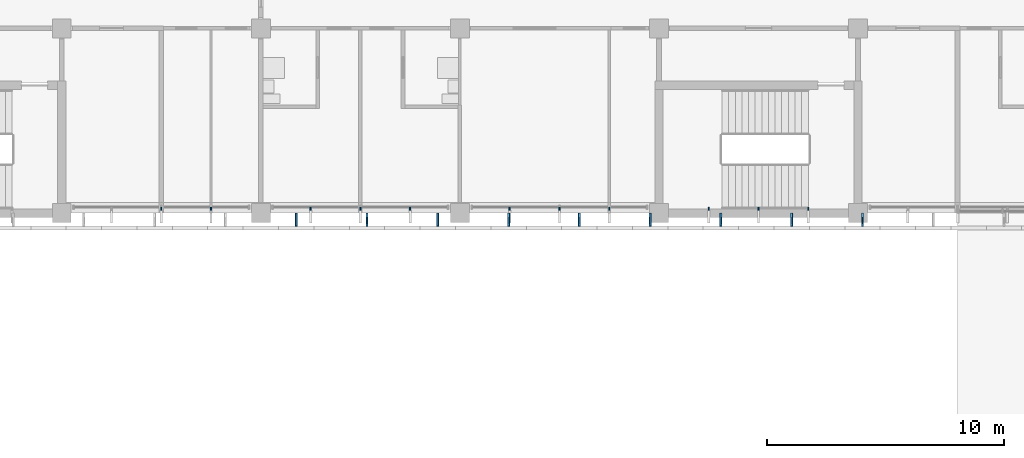
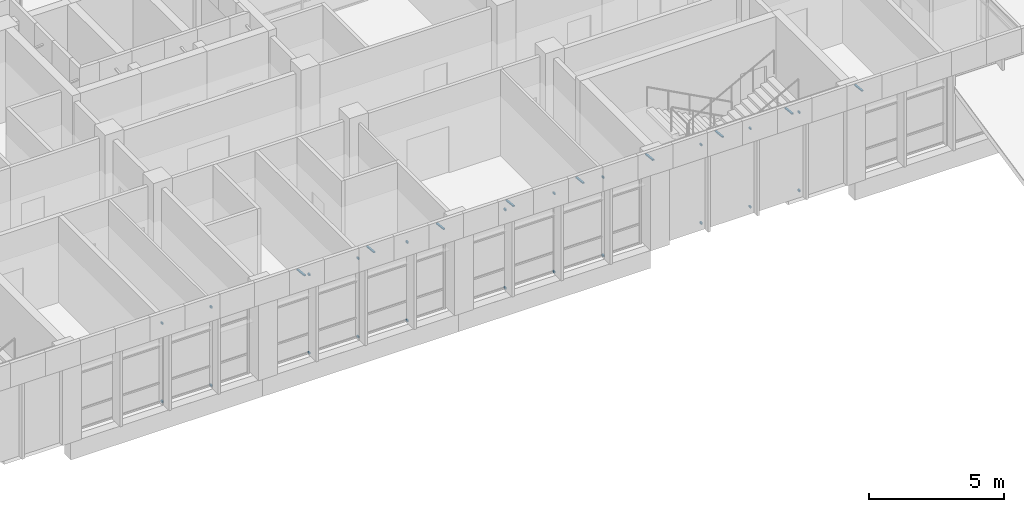
# One storey, part 104 of 137: 31 discrete accessories.
"""IFC4 building model written with IfcOpenShell, lengths in metres."""

from ifc_helpers import new_model, si_unit, direction, frame, origin, origin_2d, place, context, subcontext, project, spatial, rectangle, extrude, material, material_profile, profile_set, type_object, element, save


model = new_model("IFC4")

# Units and contexts
model_context = context("Model", 3, precision=1e-05, world=origin(), true_north=direction((0.0, 1.0)))
body_context = subcontext(model_context, "Body", "Model", "MODEL_VIEW")
ifc_project = project(units=[si_unit("LENGTHUNIT", "METRE"), si_unit("AREAUNIT", "SQUARE_METRE"), si_unit("VOLUMEUNIT", "CUBIC_METRE"), si_unit("PLANEANGLEUNIT", "RADIAN"), si_unit("MASSUNIT", "GRAM", prefix="KILO")], contexts=[model_context])

# Site, building, storey
site_placement = place(None, origin())
site = spatial("IfcSite", under=ifc_project, at=site_placement, CompositionType="ELEMENT")
building_placement = place(site_placement, origin())
building = spatial("IfcBuilding", under=site, at=building_placement, Name="Bougainvillea Quay General Hospital", CompositionType="ELEMENT")
storey_placement = place(building_placement, frame((0.0, 0.0, 16.800048828125)))
storey = spatial("IfcBuildingStorey", under=building, at=storey_placement, Name="L03", CompositionType="ELEMENT", Elevation=16.800048828125)

# Discrete accessories
ifc_material = material(Name="Stainless steel bracket, grade 316", Category="steel")
discrete_accessory_type_1 = type_object("IfcDiscreteAccessoryType", Name="Stainless steel fin arm 60x80", PredefinedType="BRACKET", material=ifc_material)
for number, where, z_axis, x_axis, name in (
    (1, (157.5, 117.7900390625, 0.0), (0.0, 0.0, 1.0), (0.0, -1.0, 0.0), "Fin arm V5B L03 14.4B"),
    (2, (157.5, 117.7900390625, 3.5498046875), (0.0, 0.0, 1.0), (0.0, -1.0, 0.0), "Fin arm V5B L03 14.4T"),
    (3, (155.39990234375, 117.7900390625, 0.0), (0.0, 0.0, 1.0), (0.0, -1.0, 0.0), "Fin arm V5B L03 14.5B"),
    (4, (155.39990234375, 117.7900390625, 3.5498046875), (0.0, 0.0, 1.0), (0.0, -1.0, 0.0), "Fin arm V5B L03 14.5T"),
    (5, (153.300048828125, 117.7900390625, 0.0), (0.0, 0.0, 1.0), (0.0, -1.0, 0.0), "Fin arm V5B L03 14.6B"),
    (6, (153.300048828125, 117.7900390625, 3.5498046875), (0.0, 0.0, 1.0), (0.0, -1.0, 0.0), "Fin arm V5B L03 14.6T"),
    (7, (149.10009765625, 117.7900390625, 0.0), (0.0, 0.0, 1.0), (0.0, -1.0, 0.0), "Fin arm V5B L03 14.7B"),
    (8, (149.10009765625, 117.7900390625, 3.5498046875), (0.0, 0.0, 1.0), (0.0, -1.0, 0.0), "Fin arm V5B L03 14.7T"),
    (9, (147.0, 117.7900390625, 0.0), (0.0, 0.0, 1.0), (0.0, -1.0, 0.0), "Fin arm V5B L03 14.8B"),
    (10, (147.0, 117.7900390625, 3.5498046875), (0.0, 0.0, 1.0), (0.0, -1.0, 0.0), "Fin arm V5B L03 14.8T"),
    (11, (144.89990234375, 117.7900390625, 0.0), (0.0, 0.0, 1.0), (0.0, -1.0, 0.0), "Fin arm V5B L03 14.9B"),
    (12, (144.89990234375, 117.7900390625, 3.5498046875), (0.0, 0.0, 1.0), (0.0, -1.0, 0.0), "Fin arm V5B L03 14.9T"),
    (13, (140.699951171875, 117.7900390625, 0.0), (0.0, 0.0, 1.0), (0.0, -1.0, 0.0), "Fin arm V5B L03 14.10B"),
    (14, (140.699951171875, 117.7900390625, 3.5498046875), (0.0, 0.0, 1.0), (0.0, -1.0, 0.0), "Fin arm V5B L03 14.10T"),
    (15, (138.60009765625, 117.7900390625, 0.0), (0.0, 0.0, 1.0), (0.0, -1.0, 0.0), "Fin arm V5B L03 14.11B"),
    (16, (138.60009765625, 117.7900390625, 3.5498046875), (0.0, 0.0, 1.0), (0.0, -1.0, 0.0), "Fin arm V5B L03 14.11T"),
    (17, (136.5, 117.7900390625, 0.0), (0.0, 0.0, 1.0), (0.0, -1.0, 0.0), "Fin arm V5B L03 14.12B"),
    (18, (136.5, 117.7900390625, 3.5498046875), (0.0, 0.0, 1.0), (0.0, -1.0, 0.0), "Fin arm V5B L03 14.12T"),
    (19, (132.300048828125, 117.7900390625, 0.0), (0.0, 0.0, 1.0), (0.0, -1.0, 0.0), "Fin arm V5B L03 14.13B"),
    (20, (132.300048828125, 117.7900390625, 3.5498046875), (0.0, 0.0, 1.0), (0.0, -1.0, 0.0), "Fin arm V5B L03 14.13T"),
    (21, (130.199951171875, 117.7900390625, 0.0), (0.0, 0.0, 1.0), (0.0, -1.0, 0.0), "Fin arm V5B L03 14.14B"),
    (22, (130.199951171875, 117.7900390625, 3.5498046875), (0.0, 0.0, 1.0), (0.0, -1.0, 0.0), "Fin arm V5B L03 14.14T"),
):
    element("IfcDiscreteAccessory", number, at=place(storey_placement, frame(where, z_axis=z_axis, x_axis=x_axis)), inside=storey, type_object=discrete_accessory_type_1, Name=name, PredefinedType="BRACKET", context=body_context, shape_type="SweptSolid", body=[
        extrude(rectangle(XDim=0.1201171875, YDim=0.06005859375, at=origin_2d()), origin(), (0.0, 0.0, 1.0), 0.080078125),
    ])
ifc_material_profile = material_profile(ifc_material, rectangle(XDim=0.080078125, YDim=0.050048828125, at=origin_2d()))
ifc_profile_set = profile_set([ifc_material_profile], Name="Stainless steel bracket, grade 316")
discrete_accessory_type_2 = type_object("IfcDiscreteAccessoryType", Name="Stainless steel stand-off bracket 80x50", PredefinedType="BRACKET", material=ifc_profile_set)
for number, where, z_axis, x_axis, name in (
    (23, (135.893310546875, 117.60009765625, 4.139892578125), (0.0, -0.994091793559, 0.108542645901), (1.0, 0.0, 0.0), "Fascia bracket e1 49"),
    (24, (138.8798828125, 117.60009765625, 4.139892578125), (0.0, -0.994091793559, 0.108542645901), (1.0, 0.0, 0.0), "Fascia bracket e1 51"),
    (25, (141.86669921875, 117.60009765625, 4.139892578125), (0.0, -0.994091793559, 0.108542645901), (1.0, 0.0, 0.0), "Fascia bracket e1 53"),
    (26, (144.853271484375, 117.60009765625, 4.139892578125), (0.0, -0.994091793559, 0.108542645901), (1.0, 0.0, 0.0), "Fascia bracket e1 55"),
    (27, (147.840087890625, 117.60009765625, 4.139892578125), (0.0, -0.994091793559, 0.108542645901), (1.0, 0.0, 0.0), "Fascia bracket e1 57"),
    (28, (150.82666015625, 117.60009765625, 4.139892578125), (0.0, -0.994091793559, 0.108542645901), (1.0, 0.0, 0.0), "Fascia bracket e1 59"),
    (29, (153.813232421875, 117.60009765625, 4.139892578125), (0.0, -0.994091793559, 0.108542645901), (1.0, 0.0, 0.0), "Fascia bracket e1 61"),
    (30, (156.800048828125, 117.60009765625, 4.139892578125), (0.0, -0.994091793559, 0.108542645901), (1.0, 0.0, 0.0), "Fascia bracket e1 63"),
    (31, (159.78662109375, 117.60009765625, 4.139892578125), (0.0, -0.994091793559, 0.108542645901), (1.0, 0.0, 0.0), "Fascia bracket e1 65"),
):
    element("IfcDiscreteAccessory", number, at=place(storey_placement, frame(where, z_axis=z_axis, x_axis=x_axis)), inside=storey, type_object=discrete_accessory_type_2, Name=name, PredefinedType="BRACKET", context=body_context, shape_type="SweptSolid", body=[
        extrude(rectangle(XDim=0.080078125, YDim=0.050048828125, at=origin_2d()), origin(), (0.0, 0.0, 1.0), 0.55322265625),
    ])

save(model, "model.ifc")
